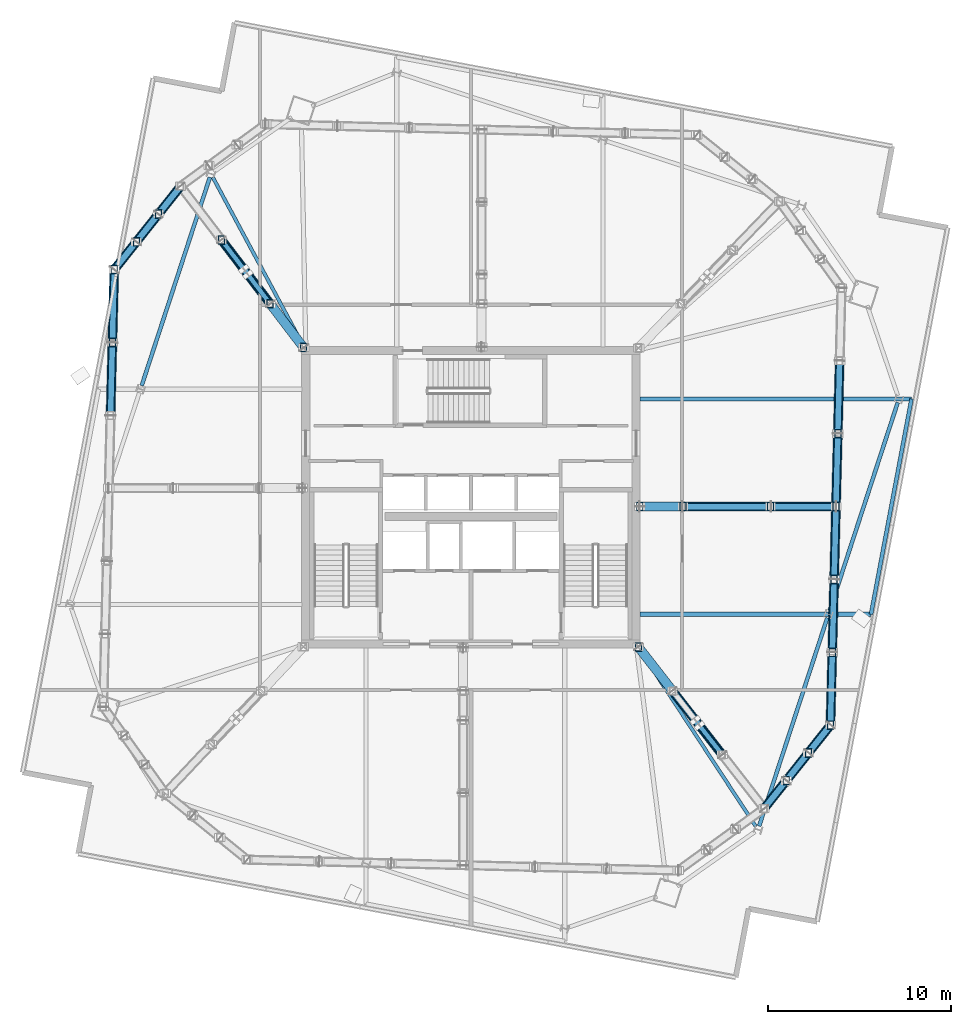
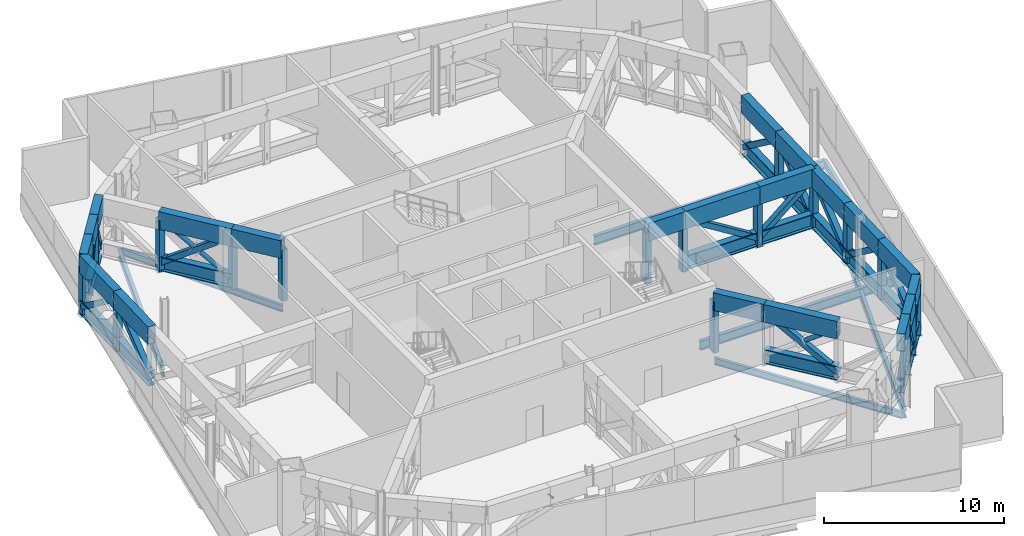
# One storey, part 3 of 15: 75 members, 8 beams.
"""IFC4 building model written with IfcOpenShell, lengths in metres."""

from ifc_helpers import new_model, si_unit, direction, frame, origin, origin_2d, place, context, subcontext, project, spatial, hollow_rectangle, hollow_circle, i_section, extrude, material, material_profile, profile_set, type_object, element, save


model = new_model("IFC4")

# Units and contexts
model_context = context("Model", 3, precision=1e-05, world=origin(), true_north=direction((0.0, 1.0)))
body_context = subcontext(model_context, "Body", "Model", "MODEL_VIEW")
ifc_project = project(units=[si_unit("LENGTHUNIT", "METRE"), si_unit("AREAUNIT", "SQUARE_METRE"), si_unit("VOLUMEUNIT", "CUBIC_METRE"), si_unit("PLANEANGLEUNIT", "RADIAN"), si_unit("MASSUNIT", "GRAM", prefix="KILO")], contexts=[model_context])

# Site, building, storey
site_placement = place(None, origin())
site = spatial("IfcSite", under=ifc_project, at=site_placement, CompositionType="ELEMENT")
building_placement = place(site_placement, origin())
building = spatial("IfcBuilding", under=site, at=building_placement, Name="Haldenkirk Collegiate Tower", CompositionType="ELEMENT")
storey_placement = place(building_placement, frame((0.0, 0.0, 293.699951171875)))
storey = spatial("IfcBuildingStorey", under=building, at=storey_placement, Name="L74", CompositionType="ELEMENT", Elevation=293.699951171875)

# Beams
ifc_material_1 = material(Name="Steel ASTM A992 Grade 50", Category="steel")
ifc_material_profile_1 = material_profile(ifc_material_1, i_section(OverallWidth=0.22998046875, OverallDepth=0.616943359375, WebThickness=0.01318359375, FlangeThickness=0.022216796875, at=origin_2d()), Name="W24X94")
ifc_profile_set_1 = profile_set([ifc_material_profile_1], Name="Steel ASTM A992 Grade 50")
beam_type_1 = type_object("IfcBeamType", Name="BM-GIRDER-W24X94", PredefinedType="BEAM", material=ifc_profile_set_1)
beam_1_placement = place(storey_placement, frame((57.80224609375, 19.624267578125, -0.718505859375), z_axis=(-1.0, 0.0, 0.0), x_axis=(0.0, -1.0, 0.0)))
element("IfcBeam", 1, at=beam_1_placement, inside=storey, type_object=beam_type_1, Name="L74 primary floor girder 06", PredefinedType="BEAM", context=body_context, shape_type="SweptSolid", body=[
    extrude(i_section(OverallWidth=0.22998046875, OverallDepth=0.616943359375, WebThickness=0.01318359375, FlangeThickness=0.022216796875, at=origin_2d()), origin(), (0.0, 0.0, 1.0), 12.59716796875),
])
beam_2_placement = place(storey_placement, frame((60.00927734375, 31.360107421875, -0.718505859375), z_axis=(-1.0, 0.0, 0.0), x_axis=(0.0, -1.0, 0.0)))
element("IfcBeam", 2, at=beam_2_placement, inside=storey, type_object=beam_type_1, Name="L74 primary floor girder 07", PredefinedType="BEAM", context=body_context, shape_type="SweptSolid", body=[
    extrude(i_section(OverallWidth=0.22998046875, OverallDepth=0.616943359375, WebThickness=0.01318359375, FlangeThickness=0.022216796875, at=origin_2d()), origin(), (0.0, 0.0, 1.0), 14.80419921875),
])
ifc_material_profile_2 = material_profile(ifc_material_1, i_section(OverallWidth=0.18994140625, OverallDepth=0.45703125, WebThickness=0.009033203125, FlangeThickness=0.014404296875, at=origin_2d()), Name="W18X50")
ifc_profile_set_2 = profile_set([ifc_material_profile_2], Name="Steel ASTM A992 Grade 50")
beam_type_2 = type_object("IfcBeamType", Name="BM-JOIST-W18X50", PredefinedType="JOIST", material=ifc_profile_set_2)
beam_3_placement = place(storey_placement, frame((51.53173828125, 8.057861328125, -0.638427734375), z_axis=(-0.549082872731, 0.835767909693, 0.0), x_axis=(-0.835767909693, -0.549082872731, 0.0)))
element("IfcBeam", 3, at=beam_3_placement, inside=storey, type_object=beam_type_2, Name="L74 composite floor joist 05", PredefinedType="JOIST", context=body_context, shape_type="SweptSolid", body=[
    extrude(i_section(OverallWidth=0.18994140625, OverallDepth=0.45703125, WebThickness=0.009033203125, FlangeThickness=0.014404296875, at=origin_2d()), origin(), (0.0, 0.0, 1.0), 11.690673828125),
])
beam_4_placement = place(storey_placement, frame((21.92578125, 43.45068359375, -0.638427734375), z_axis=(0.473049262391, -0.881035978466, 0.0), x_axis=(0.881035978466, 0.473049262391, 0.0)))
element("IfcBeam", 4, at=beam_4_placement, inside=storey, type_object=beam_type_2, Name="L74 composite floor joist 11", PredefinedType="JOIST", context=body_context, shape_type="SweptSolid", body=[
    extrude(i_section(OverallWidth=0.18994140625, OverallDepth=0.45703125, WebThickness=0.009033203125, FlangeThickness=0.014404296875, at=origin_2d()), origin(), (0.0, 0.0, 1.0), 10.521728515625),
])
ifc_material_profile_3 = material_profile(ifc_material_1, i_section(OverallWidth=0.2099609375, OverallDepth=0.537109375, WebThickness=0.010986328125, FlangeThickness=0.017333984375, at=origin_2d()), Name="W21X68")
ifc_profile_set_3 = profile_set([ifc_material_profile_3], Name="Steel ASTM A992 Grade 50")
beam_type_3 = type_object("IfcBeamType", Name="BM-SPANDREL-W21X68", PredefinedType="SPANDREL", material=ifc_profile_set_3)
for number, where, z_axis, x_axis, name in (
    (5, (51.7060546875, 8.081298828125, -0.678466796875), (0.311010188249, 0.950406577631, 0.0), (-0.950406577631, 0.311010188249, 0.0), "L74 perimeter spandrel beam 02"),
    (6, (55.54638671875, 19.81689453125, -0.678466796875), (0.311010188249, 0.950406577631, 0.0), (-0.950406577631, 0.311010188249, 0.0), "L74 perimeter spandrel beam 03"),
    (7, (21.76708984375, 43.436767578125, -0.678466796875), (-0.311010188249, -0.950406577631, 0.0), (0.950406577631, -0.311010188249, 0.0), "L74 perimeter spandrel beam 10"),
):
    element("IfcBeam", number, at=place(storey_placement, frame(where, z_axis=z_axis, x_axis=x_axis)), inside=storey, type_object=beam_type_3, Name=name, PredefinedType="SPANDREL", context=body_context, shape_type="SweptSolid", body=[
        extrude(i_section(OverallWidth=0.2099609375, OverallDepth=0.537109375, WebThickness=0.010986328125, FlangeThickness=0.017333984375, at=origin_2d()), origin(), (0.0, 0.0, 1.0), 11.94287109375),
    ])
beam_5_placement = place(storey_placement, frame((57.80224609375, 19.624267578125, -0.678466796875), z_axis=(0.184819296606, 0.982772520781, 0.0), x_axis=(-0.982772520781, 0.184819296606, 0.0)))
element("IfcBeam", 8, at=beam_5_placement, inside=storey, type_object=beam_type_3, Name="L74 outer facade edge beam 1", PredefinedType="SPANDREL", context=body_context, shape_type="SweptSolid", body=[
    extrude(i_section(OverallWidth=0.2099609375, OverallDepth=0.537109375, WebThickness=0.010986328125, FlangeThickness=0.017333984375, at=origin_2d()), origin(), (0.0, 0.0, 1.0), 11.941650390625),
])

# Members
ifc_material_2 = material(Name="Steel ASTM A572 Grade 50", Category="steel")
ifc_material_profile_4 = material_profile(ifc_material_2, hollow_rectangle(XDim=0.5, YDim=1.199951171875, WallThickness=0.050048828125, at=origin_2d()), Name="BOX1200X500X50")
ifc_profile_set_4 = profile_set([ifc_material_profile_4], Name="Steel ASTM A572 Grade 50")
member_type_1 = type_object("IfcMemberType", Name="MBR-CHORD-BOX1200", PredefinedType="CHORD", material=ifc_profile_set_4)
member_1_placement = place(storey_placement, frame((45.122802734375, 17.84228515625, 3.5), z_axis=(0.61436975779, -0.789018251191, 0.0), x_axis=(0.789018251191, 0.61436975779, 0.0)))
element("IfcMember", 9, at=member_1_placement, inside=storey, type_object=member_type_1, Name="Outrigger Truss L74 Radial 01 top chord 1", PredefinedType="CHORD", context=body_context, shape_type="SweptSolid", body=[
    extrude(hollow_rectangle(XDim=0.5, YDim=1.199951171875, WallThickness=0.050048828125, at=origin_2d()), origin(), (0.0, 0.0, 1.0), 3.031982421875),
])
member_2_placement = place(storey_placement, frame((46.985595703125, 15.449951171875, 3.5), z_axis=(0.614339600838, -0.789041732003, 0.0), x_axis=(0.789041732003, 0.614339600838, 0.0)))
element("IfcMember", 10, at=member_2_placement, inside=storey, type_object=member_type_1, Name="Outrigger Truss L74 Radial 01 top chord 2", PredefinedType="CHORD", context=body_context, shape_type="SweptSolid", body=[
    extrude(hollow_rectangle(XDim=0.5, YDim=1.199951171875, WallThickness=0.050048828125, at=origin_2d()), origin(), (0.0, 0.0, 1.0), 4.40478515625),
])
member_3_placement = place(storey_placement, frame((26.87890625, 34.1591796875, 3.5), z_axis=(-0.606231600477, 0.795288153177, 0.0), x_axis=(-0.795288153177, -0.606231600477, 0.0)))
element("IfcMember", 11, at=member_3_placement, inside=storey, type_object=member_type_1, Name="Outrigger Truss L74 Radial 03 top chord 1", PredefinedType="CHORD", context=body_context, shape_type="SweptSolid", body=[
    extrude(hollow_rectangle(XDim=0.5, YDim=1.199951171875, WallThickness=0.050048828125, at=origin_2d()), origin(), (0.0, 0.0, 1.0), 3.00634765625),
])
member_4_placement = place(storey_placement, frame((25.056396484375, 36.550048828125, 3.5), z_axis=(-0.606171206218, 0.795334186838, 0.0), x_axis=(-0.795334186838, -0.606171206218, 0.0)))
element("IfcMember", 12, at=member_4_placement, inside=storey, type_object=member_type_1, Name="Outrigger Truss L74 Radial 03 top chord 2", PredefinedType="CHORD", context=body_context, shape_type="SweptSolid", body=[
    extrude(hollow_rectangle(XDim=0.5, YDim=1.199951171875, WallThickness=0.050048828125, at=origin_2d()), origin(), (0.0, 0.0, 1.0), 4.367431640625),
])
member_5_placement = place(storey_placement, frame((45.199951171875, 25.496337890625, 3.5), z_axis=(1.0, 0.0, 0.0), x_axis=(0.0, 1.0, 0.0)))
element("IfcMember", 13, at=member_5_placement, inside=storey, type_object=member_type_1, Name="Outrigger Truss L74 Radial 05 top chord 1", PredefinedType="CHORD", context=body_context, shape_type="SweptSolid", body=[
    extrude(hollow_rectangle(XDim=0.5, YDim=1.199951171875, WallThickness=0.050048828125, at=origin_2d()), origin(), (0.0, 0.0, 1.0), 2.35009765625),
])
member_6_placement = place(storey_placement, frame((47.550048828125, 25.496337890625, 3.5), z_axis=(1.0, 0.0, 0.0), x_axis=(0.0, 1.0, 0.0)))
element("IfcMember", 14, at=member_6_placement, inside=storey, type_object=member_type_1, Name="Outrigger Truss L74 Radial 05 top chord 2", PredefinedType="CHORD", context=body_context, shape_type="SweptSolid", body=[
    extrude(hollow_rectangle(XDim=0.5, YDim=1.199951171875, WallThickness=0.050048828125, at=origin_2d()), origin(), (0.0, 0.0, 1.0), 4.779052734375),
])
member_7_placement = place(storey_placement, frame((52.3291015625, 25.496337890625, 3.5), z_axis=(1.0, 0.0, 0.0), x_axis=(0.0, 1.0, 0.0)))
element("IfcMember", 15, at=member_7_placement, inside=storey, type_object=member_type_1, Name="Outrigger Truss L74 Radial 05 top chord 3", PredefinedType="CHORD", context=body_context, shape_type="SweptSolid", body=[
    extrude(hollow_rectangle(XDim=0.5, YDim=1.199951171875, WallThickness=0.050048828125, at=origin_2d()), origin(), (0.0, 0.0, 1.0), 3.564453125),
])
for number, where, z_axis, x_axis, name in (
    (16, (51.97607421875, 9.040283203125, 3.5), (0.622678047571, 0.782478146067, 0.0), (-0.782478146067, 0.622678047571, 0.0), "Belt Truss L74-01 top chord 1"),
    (17, (53.181396484375, 10.554931640625, 3.5), (0.622678047571, 0.782478146067, 0.0), (-0.782478146067, 0.622678047571, 0.0), "Belt Truss L74-01 top chord 2"),
    (18, (54.38671875, 12.069580078125, 3.5), (0.622678047571, 0.782478146067, 0.0), (-0.782478146067, 0.622678047571, 0.0), "Belt Truss L74-01 top chord 3"),
):
    element("IfcMember", number, at=place(storey_placement, frame(where, z_axis=z_axis, x_axis=x_axis)), inside=storey, type_object=member_type_1, Name=name, PredefinedType="CHORD", context=body_context, shape_type="SweptSolid", body=[
        extrude(hollow_rectangle(XDim=0.5, YDim=1.199951171875, WallThickness=0.050048828125, at=origin_2d()), origin(), (0.0, 0.0, 1.0), 1.935791015625),
    ])
for number, where, z_axis, x_axis, name in (
    (19, (55.592041015625, 13.584228515625, 3.5), (0.02532389763, 0.99967929868, 0.0), (-0.99967929868, 0.02532389763, 0.0), "Belt Truss L74-02 top chord 1"),
    (20, (55.692626953125, 17.554931640625, 3.5), (0.02532389763, 0.99967929868, 0.0), (-0.99967929868, 0.02532389763, 0.0), "Belt Truss L74-02 top chord 2"),
    (21, (55.793212890625, 21.525634765625, 3.5), (0.025262471134, 0.999680852849, 0.0), (-0.999680852849, 0.025262471134, 0.0), "Belt Truss L74-02 top chord 3"),
    (22, (55.8935546875, 25.496337890625, 3.5), (0.02532389763, 0.99967929868, 0.0), (-0.99967929868, 0.02532389763, 0.0), "Belt Truss L74-03 top chord 1"),
):
    element("IfcMember", number, at=place(storey_placement, frame(where, z_axis=z_axis, x_axis=x_axis)), inside=storey, type_object=member_type_1, Name=name, PredefinedType="CHORD", context=body_context, shape_type="SweptSolid", body=[
        extrude(hollow_rectangle(XDim=0.5, YDim=1.199951171875, WallThickness=0.050048828125, at=origin_2d()), origin(), (0.0, 0.0, 1.0), 3.971923828125),
    ])
member_8_placement = place(storey_placement, frame((55.994140625, 29.467041015625, 3.5), z_axis=(0.025322341672, 0.999679338094, 0.0), x_axis=(-0.999679338094, 0.025322341672, 0.0)))
element("IfcMember", 23, at=member_8_placement, inside=storey, type_object=member_type_1, Name="Belt Truss L74-03 top chord 2", PredefinedType="CHORD", context=body_context, shape_type="SweptSolid", body=[
    extrude(hollow_rectangle(XDim=0.5, YDim=1.199951171875, WallThickness=0.050048828125, at=origin_2d()), origin(), (0.0, 0.0, 1.0), 3.97216796875),
])
for number, where, z_axis, x_axis, name in (
    (24, (20.174072265625, 42.955810546875, 3.5), (-0.622755261154, -0.782416695058, 0.0), (0.782416695058, -0.622755261154, 0.0), "Belt Truss L74-09 top chord 1"),
    (25, (18.968505859375, 41.441162109375, 3.5), (-0.622678047571, -0.782478146067, 0.0), (0.782478146067, -0.622678047571, 0.0), "Belt Truss L74-09 top chord 2"),
    (26, (17.76318359375, 39.926513671875, 3.5), (-0.622678047571, -0.782478146067, 0.0), (0.782478146067, -0.622678047571, 0.0), "Belt Truss L74-09 top chord 3"),
):
    element("IfcMember", number, at=place(storey_placement, frame(where, z_axis=z_axis, x_axis=x_axis)), inside=storey, type_object=member_type_1, Name=name, PredefinedType="CHORD", context=body_context, shape_type="SweptSolid", body=[
        extrude(hollow_rectangle(XDim=0.5, YDim=1.199951171875, WallThickness=0.050048828125, at=origin_2d()), origin(), (0.0, 0.0, 1.0), 1.935791015625),
    ])
for number, where, z_axis, x_axis, name in (
    (27, (16.557861328125, 38.411865234375, 3.5), (-0.025262471134, -0.999680852849, 0.0), (0.999680852849, -0.025262471134, 0.0), "Belt Truss L74-10 top chord 1"),
    (28, (16.45751953125, 34.441162109375, 3.5), (-0.02538532384, -0.999677740741, 0.0), (0.999677740741, -0.02538532384, 0.0), "Belt Truss L74-10 top chord 2"),
):
    element("IfcMember", number, at=place(storey_placement, frame(where, z_axis=z_axis, x_axis=x_axis)), inside=storey, type_object=member_type_1, Name=name, PredefinedType="CHORD", context=body_context, shape_type="SweptSolid", body=[
        extrude(hollow_rectangle(XDim=0.5, YDim=1.199951171875, WallThickness=0.050048828125, at=origin_2d()), origin(), (0.0, 0.0, 1.0), 3.971923828125),
    ])
ifc_material_3 = material(Name="Steel ASTM A913 Grade 65", Category="steel")
ifc_material_profile_5 = material_profile(ifc_material_3, i_section(OverallWidth=0.423095703125, OverallDepth=0.947998046875, WebThickness=0.02392578125, FlangeThickness=0.042724609375, at=origin_2d()), Name="W36X302")
ifc_profile_set_5 = profile_set([ifc_material_profile_5], Name="Steel ASTM A913 Grade 65")
member_type_2 = type_object("IfcMemberType", Name="MBR-CHORD-W36X302", PredefinedType="CHORD", material=ifc_profile_set_5)
member_9_placement = place(storey_placement, frame((46.985595703125, 15.449951171875, 0.550048828125), z_axis=(0.614339600838, -0.789041732003, 0.0), x_axis=(0.789041732003, 0.614339600838, 0.0)))
element("IfcMember", 29, at=member_9_placement, inside=storey, type_object=member_type_2, Name="Outrigger Truss L74 Radial 01 bottom chord 2", PredefinedType="CHORD", context=body_context, shape_type="SweptSolid", body=[
    extrude(i_section(OverallWidth=0.423095703125, OverallDepth=0.947998046875, WebThickness=0.02392578125, FlangeThickness=0.042724609375, at=origin_2d()), origin(), (0.0, 0.0, 1.0), 4.40478515625),
])
member_10_placement = place(storey_placement, frame((25.056396484375, 36.550048828125, 0.550048828125), z_axis=(-0.606171206218, 0.795334186838, 0.0), x_axis=(-0.795334186838, -0.606171206218, 0.0)))
element("IfcMember", 30, at=member_10_placement, inside=storey, type_object=member_type_2, Name="Outrigger Truss L74 Radial 03 bottom chord 2", PredefinedType="CHORD", context=body_context, shape_type="SweptSolid", body=[
    extrude(i_section(OverallWidth=0.423095703125, OverallDepth=0.947998046875, WebThickness=0.02392578125, FlangeThickness=0.042724609375, at=origin_2d()), origin(), (0.0, 0.0, 1.0), 4.367431640625),
])
member_11_placement = place(storey_placement, frame((47.550048828125, 25.496337890625, 0.550048828125), z_axis=(1.0, 0.0, 0.0), x_axis=(0.0, 1.0, 0.0)))
element("IfcMember", 31, at=member_11_placement, inside=storey, type_object=member_type_2, Name="Outrigger Truss L74 Radial 05 bottom chord 2", PredefinedType="CHORD", context=body_context, shape_type="SweptSolid", body=[
    extrude(i_section(OverallWidth=0.423095703125, OverallDepth=0.947998046875, WebThickness=0.02392578125, FlangeThickness=0.042724609375, at=origin_2d()), origin(), (0.0, 0.0, 1.0), 4.779052734375),
])
member_12_placement = place(storey_placement, frame((52.3291015625, 25.496337890625, 0.550048828125), z_axis=(1.0, 0.0, 0.0), x_axis=(0.0, 1.0, 0.0)))
element("IfcMember", 32, at=member_12_placement, inside=storey, type_object=member_type_2, Name="Outrigger Truss L74 Radial 05 bottom chord 3", PredefinedType="CHORD", context=body_context, shape_type="SweptSolid", body=[
    extrude(i_section(OverallWidth=0.423095703125, OverallDepth=0.947998046875, WebThickness=0.02392578125, FlangeThickness=0.042724609375, at=origin_2d()), origin(), (0.0, 0.0, 1.0), 3.564453125),
])
for number, where, z_axis, x_axis, name in (
    (33, (51.97607421875, 9.040283203125, 0.550048828125), (0.622678047571, 0.782478146067, 0.0), (-0.782478146067, 0.622678047571, 0.0), "Belt Truss L74-01 bottom chord 1"),
    (34, (53.181396484375, 10.554931640625, 0.550048828125), (0.622678047571, 0.782478146067, 0.0), (-0.782478146067, 0.622678047571, 0.0), "Belt Truss L74-01 bottom chord 2"),
    (35, (54.38671875, 12.069580078125, 0.550048828125), (0.622678047571, 0.782478146067, 0.0), (-0.782478146067, 0.622678047571, 0.0), "Belt Truss L74-01 bottom chord 3"),
):
    element("IfcMember", number, at=place(storey_placement, frame(where, z_axis=z_axis, x_axis=x_axis)), inside=storey, type_object=member_type_2, Name=name, PredefinedType="CHORD", context=body_context, shape_type="SweptSolid", body=[
        extrude(i_section(OverallWidth=0.423095703125, OverallDepth=0.947998046875, WebThickness=0.02392578125, FlangeThickness=0.042724609375, at=origin_2d()), origin(), (0.0, 0.0, 1.0), 1.935791015625),
    ])
for number, where, z_axis, x_axis, name in (
    (36, (55.592041015625, 13.584228515625, 0.550048828125), (0.02532389763, 0.99967929868, 0.0), (-0.99967929868, 0.02532389763, 0.0), "Belt Truss L74-02 bottom chord 1"),
    (37, (55.692626953125, 17.554931640625, 0.550048828125), (0.02532389763, 0.99967929868, 0.0), (-0.99967929868, 0.02532389763, 0.0), "Belt Truss L74-02 bottom chord 2"),
    (38, (55.793212890625, 21.525634765625, 0.550048828125), (0.025262471134, 0.999680852849, 0.0), (-0.999680852849, 0.025262471134, 0.0), "Belt Truss L74-02 bottom chord 3"),
    (39, (55.8935546875, 25.496337890625, 0.550048828125), (0.02532389763, 0.99967929868, 0.0), (-0.99967929868, 0.02532389763, 0.0), "Belt Truss L74-03 bottom chord 1"),
):
    element("IfcMember", number, at=place(storey_placement, frame(where, z_axis=z_axis, x_axis=x_axis)), inside=storey, type_object=member_type_2, Name=name, PredefinedType="CHORD", context=body_context, shape_type="SweptSolid", body=[
        extrude(i_section(OverallWidth=0.423095703125, OverallDepth=0.947998046875, WebThickness=0.02392578125, FlangeThickness=0.042724609375, at=origin_2d()), origin(), (0.0, 0.0, 1.0), 3.971923828125),
    ])
member_13_placement = place(storey_placement, frame((55.994140625, 29.467041015625, 0.550048828125), z_axis=(0.025322341672, 0.999679338094, 0.0), x_axis=(-0.999679338094, 0.025322341672, 0.0)))
element("IfcMember", 40, at=member_13_placement, inside=storey, type_object=member_type_2, Name="Belt Truss L74-03 bottom chord 2", PredefinedType="CHORD", context=body_context, shape_type="SweptSolid", body=[
    extrude(i_section(OverallWidth=0.423095703125, OverallDepth=0.947998046875, WebThickness=0.02392578125, FlangeThickness=0.042724609375, at=origin_2d()), origin(), (0.0, 0.0, 1.0), 3.97216796875),
])
for number, where, z_axis, x_axis, name in (
    (41, (20.174072265625, 42.955810546875, 0.550048828125), (-0.622755261154, -0.782416695058, 0.0), (0.782416695058, -0.622755261154, 0.0), "Belt Truss L74-09 bottom chord 1"),
    (42, (18.968505859375, 41.441162109375, 0.550048828125), (-0.622678047571, -0.782478146067, 0.0), (0.782478146067, -0.622678047571, 0.0), "Belt Truss L74-09 bottom chord 2"),
    (43, (17.76318359375, 39.926513671875, 0.550048828125), (-0.622678047571, -0.782478146067, 0.0), (0.782478146067, -0.622678047571, 0.0), "Belt Truss L74-09 bottom chord 3"),
):
    element("IfcMember", number, at=place(storey_placement, frame(where, z_axis=z_axis, x_axis=x_axis)), inside=storey, type_object=member_type_2, Name=name, PredefinedType="CHORD", context=body_context, shape_type="SweptSolid", body=[
        extrude(i_section(OverallWidth=0.423095703125, OverallDepth=0.947998046875, WebThickness=0.02392578125, FlangeThickness=0.042724609375, at=origin_2d()), origin(), (0.0, 0.0, 1.0), 1.935791015625),
    ])
for number, where, z_axis, x_axis, name in (
    (44, (16.557861328125, 38.411865234375, 0.550048828125), (-0.025262471134, -0.999680852849, 0.0), (0.999680852849, -0.025262471134, 0.0), "Belt Truss L74-10 bottom chord 1"),
    (45, (16.45751953125, 34.441162109375, 0.550048828125), (-0.02538532384, -0.999677740741, 0.0), (0.999677740741, -0.02538532384, 0.0), "Belt Truss L74-10 bottom chord 2"),
):
    element("IfcMember", number, at=place(storey_placement, frame(where, z_axis=z_axis, x_axis=x_axis)), inside=storey, type_object=member_type_2, Name=name, PredefinedType="CHORD", context=body_context, shape_type="SweptSolid", body=[
        extrude(i_section(OverallWidth=0.423095703125, OverallDepth=0.947998046875, WebThickness=0.02392578125, FlangeThickness=0.042724609375, at=origin_2d()), origin(), (0.0, 0.0, 1.0), 3.971923828125),
    ])
ifc_material_profile_6 = material_profile(ifc_material_2, hollow_circle(Radius=0.136474609375, WallThickness=0.011962890625, at=origin_2d()), Name="CHS273X12")
ifc_profile_set_6 = profile_set([ifc_material_profile_6], Name="Steel ASTM A572 Grade 50")
member_type_3 = type_object("IfcMemberType", Name="MBR-STRUT-CHS273", PredefinedType="STRUT", material=ifc_profile_set_6)
member_14_placement = place(storey_placement, frame((48.4609375, 13.5546875, 2.158447265625), z_axis=(0.510505068558, -0.65552456036, 0.556481918612), x_axis=(0.78897140469, 0.614429916737, 0.0)))
element("IfcMember", 46, at=member_14_placement, inside=storey, type_object=member_type_3, Name="Outrigger Truss L74 Radial 01 split X-brace diagonal 2B", PredefinedType="STRUT", context=body_context, shape_type="SweptSolid", body=[
    extrude(hollow_circle(Radius=0.136474609375, WallThickness=0.011962890625, at=origin_2d()), origin(), (0.0, 0.0, 1.0), 2.410888671875),
])
member_15_placement = place(storey_placement, frame((25.056396484375, 36.550048828125, 0.550048828125), z_axis=(-0.502291562158, 0.659053823237, 0.559777852957), x_axis=(-0.795341355598, -0.606161800245, 0.0)))
element("IfcMember", 47, at=member_15_placement, inside=storey, type_object=member_type_3, Name="Outrigger Truss L74 Radial 03 split X-brace diagonal 2A", PredefinedType="STRUT", context=body_context, shape_type="SweptSolid", body=[
    extrude(hollow_circle(Radius=0.136474609375, WallThickness=0.011962890625, at=origin_2d()), origin(), (0.0, 0.0, 1.0), 2.395263671875),
])
member_16_placement = place(storey_placement, frame((23.612060546875, 38.445068359375, 2.159423828125), z_axis=(-0.502320220721, 0.65909142597, 0.559707859573), x_axis=(-0.795341355598, -0.606161800245, 0.0)))
element("IfcMember", 48, at=member_16_placement, inside=storey, type_object=member_type_3, Name="Outrigger Truss L74 Radial 03 split X-brace diagonal 2B", PredefinedType="STRUT", context=body_context, shape_type="SweptSolid", body=[
    extrude(hollow_circle(Radius=0.136474609375, WallThickness=0.011962890625, at=origin_2d()), origin(), (0.0, 0.0, 1.0), 2.39501953125),
])
ifc_material_profile_7 = material_profile(ifc_material_2, hollow_rectangle(XDim=0.35009765625, YDim=0.35009765625, WallThickness=0.01611328125, at=origin_2d()), Name="HSS350X350X16")
ifc_profile_set_7 = profile_set([ifc_material_profile_7], Name="Steel ASTM A572 Grade 50")
member_type_4 = type_object("IfcMemberType", Name="MBR-TRUSSDIAG-HSS350X350X16", PredefinedType="BRACE", material=ifc_profile_set_7)
member_17_placement = place(storey_placement, frame((46.985595703125, 15.449951171875, 3.5), z_axis=(0.51044334294, -0.655600092936, -0.556449559071), x_axis=(0.789041732003, 0.614339600838, 0.0)))
element("IfcMember", 49, at=member_17_placement, inside=storey, type_object=member_type_4, Name="Outrigger Truss L74 Radial 01 web diagonal 2", PredefinedType="BRACE", context=body_context, shape_type="SweptSolid", body=[
    extrude(hollow_rectangle(XDim=0.35009765625, YDim=0.35009765625, WallThickness=0.01611328125, at=origin_2d()), origin(), (0.0, 0.0, 1.0), 5.30126953125),
])
member_18_placement = place(storey_placement, frame((25.056396484375, 36.550048828125, 3.5), z_axis=(-0.502323934887, 0.659080131462, -0.559717826009), x_axis=(-0.795334186838, -0.606171206218, 0.0)))
element("IfcMember", 50, at=member_18_placement, inside=storey, type_object=member_type_4, Name="Outrigger Truss L74 Radial 03 web diagonal 2", PredefinedType="BRACE", context=body_context, shape_type="SweptSolid", body=[
    extrude(hollow_rectangle(XDim=0.35009765625, YDim=0.35009765625, WallThickness=0.01611328125, at=origin_2d()), origin(), (0.0, 0.0, 1.0), 5.2705078125),
])
member_19_placement = place(storey_placement, frame((47.550048828125, 25.496337890625, 3.5), z_axis=(0.850942586814, 0.0, -0.525258711442), x_axis=(0.0, 1.0, 0.0)))
element("IfcMember", 51, at=member_19_placement, inside=storey, type_object=member_type_4, Name="Outrigger Truss L74 Radial 05 web diagonal 2", PredefinedType="BRACE", context=body_context, shape_type="SweptSolid", body=[
    extrude(hollow_rectangle(XDim=0.35009765625, YDim=0.35009765625, WallThickness=0.01611328125, at=origin_2d()), origin(), (0.0, 0.0, 1.0), 5.6162109375),
])
member_20_placement = place(storey_placement, frame((52.3291015625, 25.496337890625, 0.550048828125), z_axis=(0.770388065097, 0.0, 0.637575273326), x_axis=(0.0, 1.0, 0.0)))
element("IfcMember", 52, at=member_20_placement, inside=storey, type_object=member_type_4, Name="Outrigger Truss L74 Radial 05 web diagonal 3", PredefinedType="BRACE", context=body_context, shape_type="SweptSolid", body=[
    extrude(hollow_rectangle(XDim=0.35009765625, YDim=0.35009765625, WallThickness=0.01611328125, at=origin_2d()), origin(), (0.0, 0.0, 1.0), 4.626708984375),
])
for number, where, z_axis, x_axis, name in (
    (53, (51.97607421875, 9.040283203125, 0.550048828125), (0.341611842871, 0.429280914153, 0.836073708206), (-0.782478146067, 0.622678047571, 0.0), "Belt Truss L74-01 web diagonal 1"),
    (54, (53.181396484375, 10.554931640625, 3.5), (0.341611842871, 0.429280914153, -0.836073708206), (-0.782478146067, 0.622678047571, 0.0), "Belt Truss L74-01 web diagonal 2"),
    (55, (54.38671875, 12.069580078125, 0.550048828125), (0.341611842871, 0.429280914153, 0.836073708206), (-0.782478146067, 0.622678047571, 0.0), "Belt Truss L74-01 web diagonal 3"),
):
    element("IfcMember", number, at=place(storey_placement, frame(where, z_axis=z_axis, x_axis=x_axis)), inside=storey, type_object=member_type_4, Name=name, PredefinedType="BRACE", context=body_context, shape_type="SweptSolid", body=[
        extrude(hollow_rectangle(XDim=0.35009765625, YDim=0.35009765625, WallThickness=0.01611328125, at=origin_2d()), origin(), (0.0, 0.0, 1.0), 3.5283203125),
    ])
for number, where, z_axis, x_axis, name in (
    (56, (55.592041015625, 13.584228515625, 0.550048828125), (0.020330220684, 0.802550265066, 0.596238001279), (-0.99967929868, 0.02532389763, 0.0), "Belt Truss L74-02 web diagonal 1"),
    (57, (55.692626953125, 17.554931640625, 3.5), (0.020330220684, 0.802550265066, -0.596238001279), (-0.99967929868, 0.02532389763, 0.0), "Belt Truss L74-02 web diagonal 2"),
    (58, (55.793212890625, 21.525634765625, 0.550048828125), (0.020280895809, 0.802551069208, 0.596238598699), (-0.999680852849, 0.025262471134, 0.0), "Belt Truss L74-02 web diagonal 3"),
    (59, (55.8935546875, 25.496337890625, 0.550048828125), (0.020330220684, 0.802550265066, 0.596238001279), (-0.99967929868, 0.02532389763, 0.0), "Belt Truss L74-03 web diagonal 1"),
):
    element("IfcMember", number, at=place(storey_placement, frame(where, z_axis=z_axis, x_axis=x_axis)), inside=storey, type_object=member_type_4, Name=name, PredefinedType="BRACE", context=body_context, shape_type="SweptSolid", body=[
        extrude(hollow_rectangle(XDim=0.35009765625, YDim=0.35009765625, WallThickness=0.01611328125, at=origin_2d()), origin(), (0.0, 0.0, 1.0), 4.947509765625),
    ])
member_21_placement = place(storey_placement, frame((55.994140625, 29.467041015625, 3.5), z_axis=(0.02032941559, 0.802567826623, -0.596214389738), x_axis=(-0.999679338094, 0.025322341672, 0.0)))
element("IfcMember", 60, at=member_21_placement, inside=storey, type_object=member_type_4, Name="Belt Truss L74-03 web diagonal 2", PredefinedType="BRACE", context=body_context, shape_type="SweptSolid", body=[
    extrude(hollow_rectangle(XDim=0.35009765625, YDim=0.35009765625, WallThickness=0.01611328125, at=origin_2d()), origin(), (0.0, 0.0, 1.0), 4.94775390625),
])
for number, where, z_axis, x_axis, name in (
    (61, (20.174072265625, 42.955810546875, 0.550048828125), (-0.341672960048, -0.42927076633, 0.83605394416), (0.782416695058, -0.622755261154, 0.0), "Belt Truss L74-09 web diagonal 1"),
    (62, (18.968505859375, 41.441162109375, 3.5), (-0.341611842871, -0.429280914153, -0.836073708206), (0.782478146067, -0.622678047571, 0.0), "Belt Truss L74-09 web diagonal 2"),
    (63, (17.76318359375, 39.926513671875, 0.550048828125), (-0.341611842871, -0.429280914153, 0.836073708206), (0.782478146067, -0.622678047571, 0.0), "Belt Truss L74-09 web diagonal 3"),
):
    element("IfcMember", number, at=place(storey_placement, frame(where, z_axis=z_axis, x_axis=x_axis)), inside=storey, type_object=member_type_4, Name=name, PredefinedType="BRACE", context=body_context, shape_type="SweptSolid", body=[
        extrude(hollow_rectangle(XDim=0.35009765625, YDim=0.35009765625, WallThickness=0.01611328125, at=origin_2d()), origin(), (0.0, 0.0, 1.0), 3.5283203125),
    ])
for number, where, z_axis, x_axis, name in (
    (64, (16.557861328125, 38.411865234375, 0.550048828125), (-0.020280895809, -0.802551069208, 0.596238598699), (0.999680852849, -0.025262471134, 0.0), "Belt Truss L74-10 web diagonal 1"),
    (65, (16.45751953125, 34.441162109375, 3.5), (-0.02037954541, -0.802549458973, -0.596237402409), (0.999677740741, -0.02538532384, 0.0), "Belt Truss L74-10 web diagonal 2"),
):
    element("IfcMember", number, at=place(storey_placement, frame(where, z_axis=z_axis, x_axis=x_axis)), inside=storey, type_object=member_type_4, Name=name, PredefinedType="BRACE", context=body_context, shape_type="SweptSolid", body=[
        extrude(hollow_rectangle(XDim=0.35009765625, YDim=0.35009765625, WallThickness=0.01611328125, at=origin_2d()), origin(), (0.0, 0.0, 1.0), 4.947509765625),
    ])
ifc_material_profile_8 = material_profile(ifc_material_2, hollow_rectangle(XDim=0.35009765625, YDim=0.449951171875, WallThickness=0.02197265625, at=origin_2d()), Name="HSS450X350X22")
ifc_profile_set_8 = profile_set([ifc_material_profile_8], Name="Steel ASTM A572 Grade 50")
member_type_5 = type_object("IfcMemberType", Name="MBR-TRUSSPOST-HSS450X350X22", PredefinedType="POST", material=ifc_profile_set_8)
for number, where, z_axis, x_axis, name in (
    (66, (45.122802734375, 17.84228515625, 0.0), (0.0, 0.0, 1.0), (1.0, 0.0, 0.0), "Outrigger Truss L74 Radial 01 vertical post 1"),
    (67, (26.87890625, 34.1591796875, 0.0), (0.0, 0.0, 1.0), (1.0, 0.0, 0.0), "Outrigger Truss L74 Radial 03 vertical post 1"),
    (68, (25.056396484375, 36.550048828125, 0.0), (0.0, 0.0, 1.0), (1.0, 0.0, 0.0), "Outrigger Truss L74 Radial 03 vertical post 2"),
    (69, (22.408935546875, 40.023681640625, 0.0), (0.0, 0.0, 1.0), (1.0, 0.0, 0.0), "Outrigger Truss L74 Radial 03 vertical post 3"),
    (70, (45.199951171875, 25.496337890625, 0.0), (0.0, 0.0, 1.0), (1.0, 0.0, 0.0), "Outrigger Truss L74 Radial 05 vertical post 1"),
    (71, (47.550048828125, 25.496337890625, 0.0), (0.0, 0.0, 1.0), (1.0, 0.0, 0.0), "Outrigger Truss L74 Radial 05 vertical post 2"),
    (72, (52.3291015625, 25.496337890625, 0.0), (0.0, 0.0, 1.0), (1.0, 0.0, 0.0), "Outrigger Truss L74 Radial 05 vertical post 3"),
    (73, (55.8935546875, 25.496337890625, 0.0), (0.0, 0.0, 1.0), (1.0, 0.0, 0.0), "Outrigger Truss L74 Radial 05 vertical post 4"),
    (74, (53.181396484375, 10.554931640625, 0.0), (0.0, 0.0, 1.0), (1.0, 0.0, 0.0), "Belt Truss L74-01 vertical post 2"),
    (75, (54.38671875, 12.069580078125, 0.0), (0.0, 0.0, 1.0), (1.0, 0.0, 0.0), "Belt Truss L74-01 vertical post 3"),
    (76, (55.592041015625, 13.584228515625, 0.0), (0.0, 0.0, 1.0), (1.0, 0.0, 0.0), "Belt Truss L74-01 vertical post 4"),
    (77, (55.692626953125, 17.554931640625, 0.0), (0.0, 0.0, 1.0), (1.0, 0.0, 0.0), "Belt Truss L74-02 vertical post 2"),
    (78, (55.793212890625, 21.525634765625, 0.0), (0.0, 0.0, 1.0), (1.0, 0.0, 0.0), "Belt Truss L74-02 vertical post 3"),
    (79, (55.994140625, 29.467041015625, 0.0), (0.0, 0.0, 1.0), (1.0, 0.0, 0.0), "Belt Truss L74-03 vertical post 2"),
    (80, (18.968505859375, 41.441162109375, 0.0), (0.0, 0.0, 1.0), (1.0, 0.0, 0.0), "Belt Truss L74-09 vertical post 2"),
    (81, (17.76318359375, 39.926513671875, 0.0), (0.0, 0.0, 1.0), (1.0, 0.0, 0.0), "Belt Truss L74-09 vertical post 3"),
    (82, (16.557861328125, 38.411865234375, 0.0), (0.0, 0.0, 1.0), (1.0, 0.0, 0.0), "Belt Truss L74-09 vertical post 4"),
    (83, (16.45751953125, 34.441162109375, 0.0), (0.0, 0.0, 1.0), (1.0, 0.0, 0.0), "Belt Truss L74-10 vertical post 2"),
):
    element("IfcMember", number, at=place(storey_placement, frame(where, z_axis=z_axis, x_axis=x_axis)), inside=storey, type_object=member_type_5, Name=name, PredefinedType="POST", context=body_context, shape_type="SweptSolid", body=[
        extrude(hollow_rectangle(XDim=0.35009765625, YDim=0.449951171875, WallThickness=0.02197265625, at=origin_2d()), origin(), (0.0, 0.0, 1.0), 3.5),
    ])

save(model, "model.ifc")
